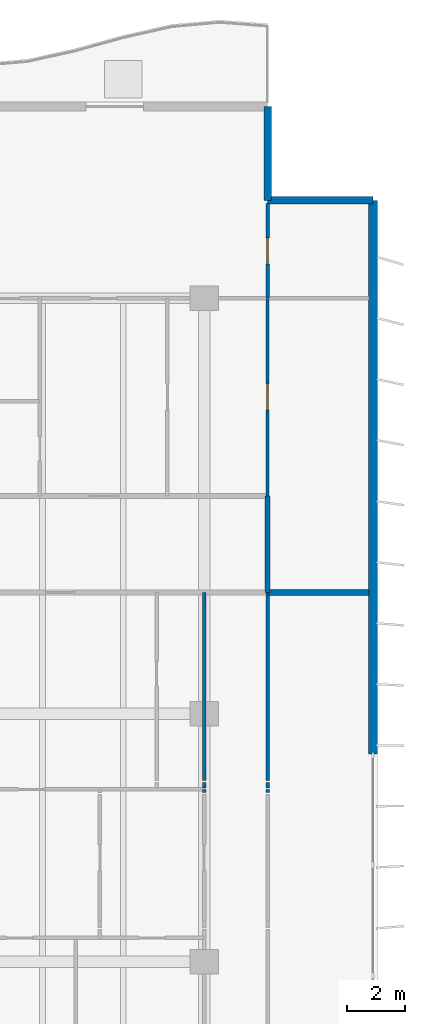
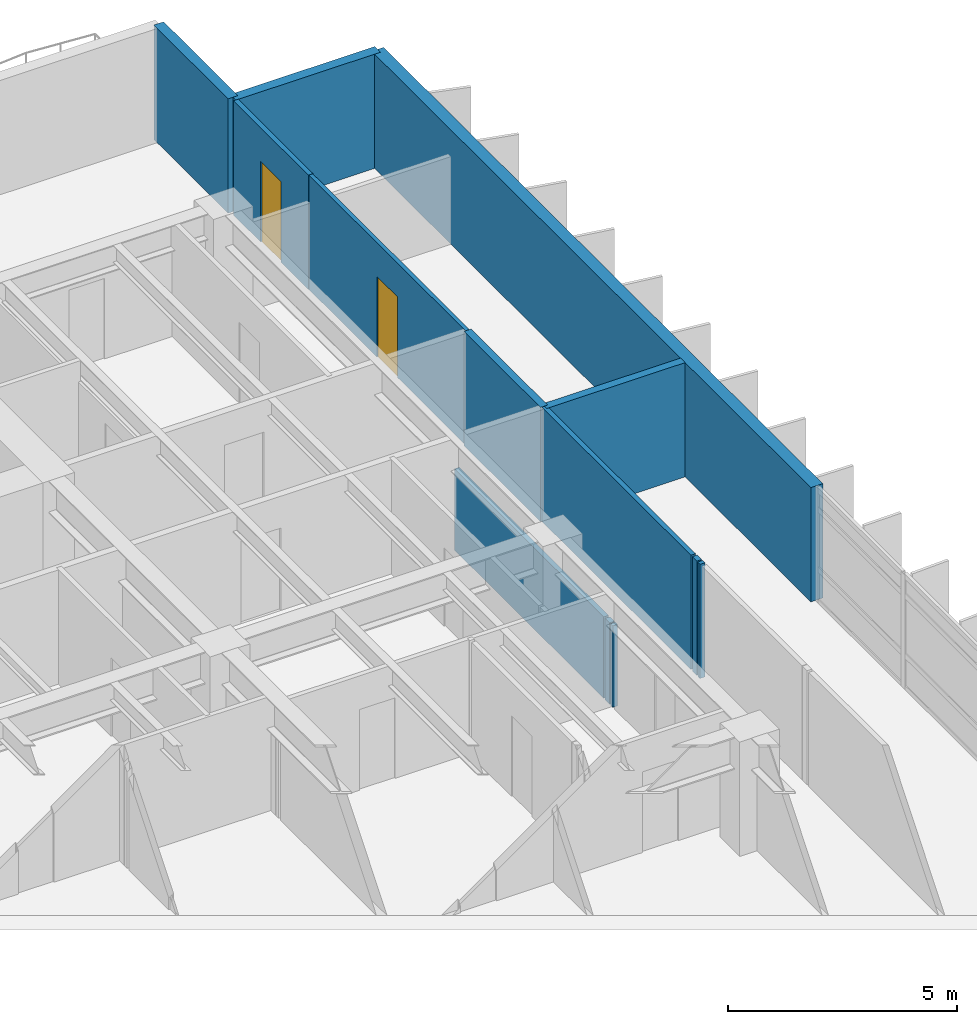
# One storey, part 15 of 20: 13 walls, 2 doors, 2 openings.
"""IFC4 building model written with IfcOpenShell, lengths in metres."""

import ifcopenshell
import ifcopenshell.guid

model = None  # the IFC model being written
_history = None  # IfcOwnerHistory: only IFC2X3 demands one
_inside = {}  # id of a spatial element -> (the spatial element, [elements in it])
_under = {}  # id of a project, library or spatial element -> (it, [spatial elements below it])
_declared = {}  # id of a project -> (the project, [libraries it declares])
_typed = {}  # id of a type object -> (the type object, [elements of that type])
_made_of = {}  # id of a material, layer set ... -> (it, [elements and type objects made of it])


def new_model(schema):
    """Start an empty IFC model of exactly this schema.

    Asked for "IFC4X3", IfcOpenShell would pick the latest addendum, in which some entities
    have other attributes; the version numbers below select the first issue.
    IFC2X3 requires an IfcOwnerHistory on every rooted entity: one is made here for all.
    """
    global model, _history
    if schema == "IFC4X3":
        model = ifcopenshell.file(schema_version=(4, 3, 0, 0))
    else:
        model = ifcopenshell.file(schema=schema)
    _inside.clear()
    _under.clear()
    _declared.clear()
    _typed.clear()
    _made_of.clear()
    _history = None
    if model.schema == "IFC2X3":
        org = make("IfcOrganization", Name="unknown")
        user = make(
            "IfcPersonAndOrganization",
            ThePerson=make("IfcPerson", FamilyName="unknown"),
            TheOrganization=org,
        )
        app = make(
            "IfcApplication",
            ApplicationDeveloper=org,
            Version="unknown",
            ApplicationFullName="unknown",
            ApplicationIdentifier="unknown",
        )
        _history = make(
            "IfcOwnerHistory",
            OwningUser=user,
            OwningApplication=app,
            ChangeAction="ADDED",
            CreationDate=0,
        )
    return model


def make(cls, **values):
    """One entity of the class cls with the attributes given. An attribute that is None is left unset."""
    return model.create_entity(
        cls, **{name: value for name, value in values.items() if value is not None}
    )


def rooted(cls, **values):
    """An entity with a GlobalId (a new one), such as an element, a storey or a relation."""
    return make(cls, GlobalId=ifcopenshell.guid.new(), OwnerHistory=_history, **values)


def si_unit(unit_type, name, prefix=None):
    """IfcSIUnit, for example si_unit("LENGTHUNIT", "METRE", prefix="MILLI")."""
    return make("IfcSIUnit", UnitType=unit_type, Prefix=prefix, Name=name)


def assignment(units):
    """IfcUnitAssignment: the units of a project."""
    return None if units is None else make("IfcUnitAssignment", Units=units)


def point(xyz):
    """IfcCartesianPoint."""
    return None if xyz is None else make("IfcCartesianPoint", Coordinates=xyz)


def direction(xyz):
    """IfcDirection."""
    return None if xyz is None else make("IfcDirection", DirectionRatios=xyz)


def frame(location, z_axis=None, x_axis=None):
    """IfcAxis2Placement3D, a coordinate frame: its origin and axes. An axis left out is left unset."""
    return make(
        "IfcAxis2Placement3D",
        Location=point(location),
        Axis=direction(z_axis),
        RefDirection=direction(x_axis),
    )


def frame_2d(location, x_axis=None):
    """IfcAxis2Placement2D, a coordinate frame in the plane: its origin and x axis."""
    return make(
        "IfcAxis2Placement2D", Location=point(location), RefDirection=direction(x_axis)
    )


def origin():
    """The frame at (0, 0, 0) with its axes left unset."""
    return frame((0.0, 0.0, 0.0))


def place(relative_to, where):
    """IfcLocalPlacement: puts the frame where relative to a parent placement (None: the world)."""
    return make(
        "IfcLocalPlacement", PlacementRelTo=relative_to, RelativePlacement=where
    )


def context(
    kind, dimensions, precision=None, world=None, true_north=None, identifier=None
):
    """IfcGeometricRepresentationContext, for example the 3D "Model" context."""
    return make(
        "IfcGeometricRepresentationContext",
        ContextIdentifier=identifier,
        ContextType=kind,
        CoordinateSpaceDimension=dimensions,
        Precision=precision,
        WorldCoordinateSystem=world,
        TrueNorth=true_north,
    )


def subcontext(parent, identifier, kind, view, scale=None):
    """IfcGeometricRepresentationSubContext, for example "Body" below "Model"."""
    return make(
        "IfcGeometricRepresentationSubContext",
        ContextIdentifier=identifier,
        ContextType=kind,
        ParentContext=parent,
        TargetScale=scale,
        TargetView=view,
    )


def project(units=None, contexts=None):
    """IfcProject with its units and contexts."""
    return rooted(
        "IfcProject",
        Name="project",
        RepresentationContexts=contexts,
        UnitsInContext=assignment(units),
    )


def spatial(cls, under=None, at=None, **own):
    """A site, building, storey or space (cls), placed at a placement, below another one or the project."""
    s = rooted(cls, ObjectPlacement=at, **own)
    if under is not None:
        _under.setdefault(under.id(), (under, []))[1].append(s)
    return s


def profile(cls, at=None, kind="AREA", **sizes):
    """A parametric profile (cls). Its sizes go by their IFC names, for example OverallWidth=200.0."""
    return make(cls, ProfileType=kind, Position=at, **sizes)


def rectangle(**sizes):
    """IfcRectangleProfileDef."""
    return profile("IfcRectangleProfileDef", **sizes)


def extrude(swept, where, along, depth):
    """IfcExtrudedAreaSolid: the profile swept, set in the frame where, extruded along a direction by depth."""
    return make(
        "IfcExtrudedAreaSolid",
        SweptArea=swept,
        Position=where,
        ExtrudedDirection=direction(along),
        Depth=depth,
    )


def shape(context_of_items, identifier, shape_type, items):
    """IfcShapeRepresentation: the items that make up one representation, for example the "Body"."""
    return make(
        "IfcShapeRepresentation",
        ContextOfItems=context_of_items,
        RepresentationIdentifier=identifier,
        RepresentationType=shape_type,
        Items=items,
    )


def material(Name=None, Category=None):
    """IfcMaterial."""
    return make("IfcMaterial", Name=Name, Category=Category)


def layer(
    of_material, thickness, ventilated=None, Name=None, Category=None, Priority=None
):
    """IfcMaterialLayer: one layer of a wall or slab, of a material (None: an air gap)."""
    return make(
        "IfcMaterialLayer",
        Material=of_material,
        LayerThickness=thickness,
        IsVentilated=ventilated,
        Name=Name,
        Category=Category,
        Priority=Priority,
    )


def layer_set(layers, Name=None):
    """IfcMaterialLayerSet."""
    return make("IfcMaterialLayerSet", MaterialLayers=layers, LayerSetName=Name)


def made_of(thing, what):
    """Note that an element or type object is made of a material, layer set ...; save() writes the relation."""
    if what is not None:
        _made_of.setdefault(what.id(), (what, []))[1].append(thing)
    return thing


def type_object(cls, material=None, **own):
    """A type object (cls), such as IfcWallType, which elements share."""
    return made_of(rooted(cls, **own), material)


def element(
    cls,
    number,
    at=None,
    inside=None,
    cuts=None,
    type_object=None,
    material=None,
    context=None,
    identifier="Body",
    shape_type=None,
    held_by="IfcProductDefinitionShape",
    body=None,
    shapes=None,
    **own,
):
    """One element of the class cls, such as IfcWall. Its Tag is "e" and its number.

    at: its placement. inside: the storey or other place that contains it. cuts: it is an
    opening in that element (IfcRelVoidsElement). A single representation is given by context,
    identifier, shape_type and body (its items); several are given by shapes. held_by: the class
    of the entity that holds the representations. save() writes the other relations.
    """
    e = rooted(cls, Tag="e%d" % number, ObjectPlacement=at, **own)
    if body is not None:
        shapes = [shape(context, identifier, shape_type, body)]
    if shapes is not None:
        e.Representation = make(held_by, Representations=shapes)
    if inside is not None:
        _inside.setdefault(inside.id(), (inside, []))[1].append(e)
    if cuts is not None:
        rooted(
            "IfcRelVoidsElement", RelatingBuildingElement=cuts, RelatedOpeningElement=e
        )
    if type_object is not None:
        _typed.setdefault(type_object.id(), (type_object, []))[1].append(e)
    return made_of(e, material)


def fill(opening, filler):
    """IfcRelFillsElement: the door or window that sits in an opening."""
    return rooted(
        "IfcRelFillsElement",
        RelatingOpeningElement=opening,
        RelatedBuildingElement=filler,
    )


def aggregate(whole, parts):
    """IfcRelAggregates: a whole, such as a stair, and the parts it consists of."""
    return rooted("IfcRelAggregates", RelatingObject=whole, RelatedObjects=parts)


def save(model, path):
    """Write the relations noted so far, then the file.

    IfcRelAggregates (storeys below a building ...), IfcRelContainedInSpatialStructure (elements
    in a storey), IfcRelDefinesByType, IfcRelAssociatesMaterial and IfcRelDeclares: one each for
    every whole, place, type object, material and project.
    """
    for whole, parts in _under.values():
        aggregate(whole, parts)
    for where, things in _inside.values():
        rooted(
            "IfcRelContainedInSpatialStructure",
            RelatedElements=things,
            RelatingStructure=where,
        )
    for kind, things in _typed.values():
        rooted("IfcRelDefinesByType", RelatedObjects=things, RelatingType=kind)
    for what, things in _made_of.values():
        rooted("IfcRelAssociatesMaterial", RelatedObjects=things, RelatingMaterial=what)
    for by, libraries in _declared.values():
        rooted("IfcRelDeclares", RelatingContext=by, RelatedDefinitions=libraries)
    model.write(path)


model = new_model("IFC4")

# Units and contexts
model_context = context("Model", 3, precision=1e-05, world=origin(), true_north=direction((0.0, 1.0)))
body_context = subcontext(model_context, "Body", "Model", "MODEL_VIEW")
ifc_project = project(units=[si_unit("LENGTHUNIT", "METRE"), si_unit("AREAUNIT", "SQUARE_METRE"), si_unit("VOLUMEUNIT", "CUBIC_METRE"), si_unit("PLANEANGLEUNIT", "RADIAN"), si_unit("MASSUNIT", "GRAM", prefix="KILO")], contexts=[model_context])

# Site, building, storey
site_placement = place(None, origin())
site = spatial("IfcSite", under=ifc_project, at=site_placement, CompositionType="ELEMENT")
building_placement = place(site_placement, origin())
building = spatial("IfcBuilding", under=site, at=building_placement, Name="Caelmar Bay Residences", CompositionType="ELEMENT")
storey_placement = place(building_placement, frame((0.0, 0.0, 119.10009765625)))
storey = spatial("IfcBuildingStorey", under=building, at=storey_placement, Name="L32", CompositionType="ELEMENT", Elevation=119.10009765625)

# Walls
ifc_material_1 = material(Name="Double-stud acoustic fire-rated gypsum partition 180 mm")
ifc_layer_1 = layer(ifc_material_1, 0.179931640625)
ifc_layer_set_1 = layer_set([ifc_layer_1], Name="Double-stud acoustic fire-rated gypsum partition 180 mm")
wall_type_1 = type_object("IfcWallType", Name="W-COR-200", PredefinedType="PARTITIONING", material=ifc_layer_set_1)
wall_1_placement = place(storey_placement, frame((70.10009765625, 33.60498046875, 0.0), z_axis=(0.0, 0.0, 1.0), x_axis=(0.0, 1.0, 0.0)))
element("IfcWall", 1, at=wall_1_placement, inside=storey, type_object=wall_type_1, Name="L32 Partition Wall V121", PredefinedType="PARTITIONING", context=body_context, shape_type="SweptSolid", body=[
    extrude(rectangle(XDim=3.344970703125, YDim=0.179931640625, at=frame_2d((1.67236328125, 0.0))), origin(), (0.0, 0.0, 1.0), 3.0498046875),
])
ifc_material_2 = material(Name="Precast concrete f'c 40 MPa (6,000 psi)", Category="concrete")
ifc_layer_2 = layer(ifc_material_2, 0.25)
ifc_layer_set_2 = layer_set([ifc_layer_2], Name="Precast concrete f'c 40 MPa (6,000 psi)")
wall_type_2 = type_object("IfcWallType", Name="W-EXT-250", PredefinedType="ELEMENTEDWALL", material=ifc_layer_set_2)
wall_2_placement = place(storey_placement, frame((70.10009765625, 50.449951171875, 0.0), z_axis=(0.0, 0.0, 1.0), x_axis=(0.0, -1.0, 0.0)))
element("IfcWall", 2, at=wall_2_placement, inside=storey, type_object=wall_type_2, Name="L32 NNE-V Notch Wall", PredefinedType="ELEMENTEDWALL", context=body_context, shape_type="SweptSolid", body=[
    extrude(rectangle(XDim=3.25, YDim=0.25, at=frame_2d((1.625, 0.0))), origin(), (0.0, 0.0, 1.0), 3.0498046875),
])
wall_3_placement = place(storey_placement, frame((70.10009765625, 47.199951171875, 0.0), z_axis=(0.0, 0.0, 1.0), x_axis=(1.0, 0.0, 0.0)))
element("IfcWall", 3, at=wall_3_placement, inside=storey, type_object=wall_type_2, Name="L32 NNE-H Notch Wall", PredefinedType="ELEMENTEDWALL", context=body_context, shape_type="SweptSolid", body=[
    extrude(rectangle(XDim=3.64990234375, YDim=0.25, at=frame_2d((1.824951171875, 0.0))), origin(), (0.0, 0.0, 1.0), 3.0498046875),
])
ifc_layer_3 = layer(ifc_material_2, 0.300048828125)
ifc_layer_set_3 = layer_set([ifc_layer_3], Name="Precast concrete f'c 40 MPa (6,000 psi)")
wall_type_3 = type_object("IfcWallType", Name="W-EXT-300", PredefinedType="STANDARD", material=ifc_layer_set_3)
wall_4_placement = place(storey_placement, frame((73.75, 47.199951171875, 0.0), z_axis=(0.0, 0.0, 1.0), x_axis=(0.0, -1.0, 0.0)))
element("IfcWall", 4, at=wall_4_placement, inside=storey, type_object=wall_type_3, Name="L32 East Rear Exterior Wall", PredefinedType="STANDARD", context=body_context, shape_type="SweptSolid", body=[
    extrude(rectangle(XDim=19.199951171875, YDim=0.300048828125, at=frame_2d((9.60009765625, 0.0))), origin(), (0.0, 0.0, 1.0), 3.0498046875),
])

# Wall, opening, door
ifc_material_3 = material(Name="Anodised bronze framed acoustic sliding study partition 100 mm")
ifc_layer_4 = layer(ifc_material_3, 0.10009765625)
ifc_layer_set_4 = layer_set([ifc_layer_4], Name="Anodised bronze framed acoustic sliding study partition 100 mm")
wall_type_4 = type_object("IfcWallType", Name="W-MOV-100", PredefinedType="MOVABLE", material=ifc_layer_set_4)
wall_5_placement = place(storey_placement, frame((70.10009765625, 36.955078125, 0.0), z_axis=(0.0, 0.0, 1.0), x_axis=(0.0, 1.0, 0.0)))
wall_5 = element("IfcWall", 5, at=wall_5_placement, inside=storey, type_object=wall_type_4, Name="L32 Partition Wall V122", PredefinedType="MOVABLE", context=body_context, shape_type="SweptSolid", body=[
    extrude(rectangle(XDim=6.844970703125, YDim=0.10009765625, at=frame_2d((3.42236328125, 0.0))), origin(), (0.0, 0.0, 1.0), 3.0498046875),
])
opening_1_placement = place(wall_5_placement, frame((2.972412109375, 0.0, 0.0)))
opening_1 = element("IfcOpeningElement", 6, at=opening_1_placement, cuts=wall_5, Name="Opening D-L32-179", PredefinedType="OPENING", context=body_context, shape_type="SweptSolid", body=[
    extrude(rectangle(XDim=0.89990234375, YDim=2.14990234375, at=frame_2d((0.449951171875, 1.074951171875))), frame((0.0, 0.06005859375, 0.0), z_axis=(0.0, -1.0, 0.0), x_axis=(1.0, 0.0, 0.0)), (0.0, 0.0, 1.0), 0.1201171875),
])
ifc_material_4 = material(Name="Solid walnut timber interior door leaf and frame", Category="wood")
ifc_layer_5 = layer(ifc_material_4, 0.050048828125)
ifc_layer_set_5 = layer_set([ifc_layer_5], Name="Solid walnut timber interior door leaf and frame")
door_type = type_object("IfcDoorType", Name="D-ROOM-900", OperationType="NOTDEFINED", PredefinedType="DOOR", material=ifc_layer_set_5)
door_1_placement = place(opening_1_placement, origin())
door_1 = element("IfcDoor", 7, at=door_1_placement, inside=storey, type_object=door_type, Name="L32 Residence EA Sun Study Door", OperationType="SINGLE_SWING_LEFT", OverallHeight=2.14990234375, OverallWidth=0.89990234375, PredefinedType="DOOR", context=body_context, shape_type="SweptSolid", body=[
    extrude(rectangle(XDim=0.89990234375, YDim=2.14990234375, at=frame_2d((0.449951171875, 1.074951171875))), frame((0.0, 0.02490234375, 0.0), z_axis=(0.0, -1.0, 0.0), x_axis=(1.0, 0.0, 0.0)), (0.0, 0.0, 1.0), 0.050048828125),
])
fill(opening_1, door_1)

# Walls
ifc_material_5 = material(Name="Acoustic metal-stud gypsum partition 120 mm")
ifc_layer_6 = layer(ifc_material_5, 0.1201171875)
ifc_layer_set_6 = layer_set([ifc_layer_6], Name="Acoustic metal-stud gypsum partition 120 mm")
wall_type_5 = type_object("IfcWallType", Name="W-PRT-120", PredefinedType="PARTITIONING", material=ifc_layer_set_6)
wall_6_placement = place(storey_placement, frame((67.89990234375, 26.679931640625, 0.0), z_axis=(0.0, 0.0, 1.0), x_axis=(0.0, 1.0, 0.0)))
element("IfcWall", 8, at=wall_6_placement, inside=storey, type_object=wall_type_5, Name="L32 Partition Wall V112", PredefinedType="PARTITIONING", context=body_context, shape_type="SweptSolid", body=[
    extrude(rectangle(XDim=0.10009765625, YDim=0.1201171875, at=frame_2d((0.050048828125, 0.0))), origin(), (0.0, 0.0, 1.0), 2.173828125),
])
wall_7_placement = place(storey_placement, frame((67.89990234375, 26.820068359375, 0.0), z_axis=(0.0, 0.0, 1.0), x_axis=(0.0, 1.0, 0.0)))
element("IfcWall", 9, at=wall_7_placement, inside=storey, type_object=wall_type_5, Name="L32 Partition Wall V113", PredefinedType="PARTITIONING", context=body_context, shape_type="SweptSolid", body=[
    extrude(rectangle(XDim=0.199951171875, YDim=0.1201171875, at=frame_2d((0.10009765625, 0.0))), origin(), (0.0, 0.0, 1.0), 2.173828125),
])
wall_8_placement = place(storey_placement, frame((67.89990234375, 27.080078125, 0.0), z_axis=(0.0, 0.0, 1.0), x_axis=(0.0, 1.0, 0.0)))
element("IfcWall", 10, at=wall_8_placement, inside=storey, type_object=wall_type_5, Name="L32 Partition Wall V114", PredefinedType="PARTITIONING", context=body_context, shape_type="SweptSolid", body=[
    extrude(rectangle(XDim=6.52001953125, YDim=0.1201171875, at=frame_2d((3.260009765625, 0.0))), origin(), (0.0, 0.0, 1.0), 2.173828125),
])
wall_9_placement = place(storey_placement, frame((70.10009765625, 26.679931640625, 0.0), z_axis=(0.0, 0.0, 1.0), x_axis=(0.0, 1.0, 0.0)))
element("IfcWall", 11, at=wall_9_placement, inside=storey, type_object=wall_type_5, Name="L32 Partition Wall V118", PredefinedType="PARTITIONING", context=body_context, shape_type="SweptSolid", body=[
    extrude(rectangle(XDim=0.10009765625, YDim=0.1201171875, at=frame_2d((0.050048828125, 0.0))), origin(), (0.0, 0.0, 1.0), 3.0498046875),
])
wall_10_placement = place(storey_placement, frame((70.10009765625, 26.820068359375, 0.0), z_axis=(0.0, 0.0, 1.0), x_axis=(0.0, 1.0, 0.0)))
element("IfcWall", 12, at=wall_10_placement, inside=storey, type_object=wall_type_5, Name="L32 Partition Wall V119", PredefinedType="PARTITIONING", context=body_context, shape_type="SweptSolid", body=[
    extrude(rectangle(XDim=0.199951171875, YDim=0.1201171875, at=frame_2d((0.10009765625, 0.0))), origin(), (0.0, 0.0, 1.0), 3.0498046875),
])
wall_11_placement = place(storey_placement, frame((70.10009765625, 27.080078125, 0.0), z_axis=(0.0, 0.0, 1.0), x_axis=(0.0, 1.0, 0.0)))
element("IfcWall", 13, at=wall_11_placement, inside=storey, type_object=wall_type_5, Name="L32 Partition Wall V120", PredefinedType="PARTITIONING", context=body_context, shape_type="SweptSolid", body=[
    extrude(rectangle(XDim=6.52001953125, YDim=0.1201171875, at=frame_2d((3.260009765625, 0.0))), origin(), (0.0, 0.0, 1.0), 3.0498046875),
])

# Wall, opening, door
wall_12_placement = place(storey_placement, frame((70.10009765625, 43.804931640625, 0.0), z_axis=(0.0, 0.0, 1.0), x_axis=(0.0, 1.0, 0.0)))
wall_12 = element("IfcWall", 14, at=wall_12_placement, inside=storey, type_object=wall_type_5, Name="L32 Partition Wall V123", PredefinedType="PARTITIONING", context=body_context, shape_type="SweptSolid", body=[
    extrude(rectangle(XDim=3.275146484375, YDim=0.1201171875, at=frame_2d((1.6376953125, 0.0))), origin(), (0.0, 0.0, 1.0), 3.0498046875),
])
opening_2_placement = place(wall_12_placement, frame((1.1875, 0.0, 0.0)))
opening_2 = element("IfcOpeningElement", 15, at=opening_2_placement, cuts=wall_12, Name="Opening D-L32-180", PredefinedType="OPENING", context=body_context, shape_type="SweptSolid", body=[
    extrude(rectangle(XDim=0.89990234375, YDim=2.14990234375, at=frame_2d((0.449951171875, 1.074951171875))), frame((0.0, 0.070068359375, 0.0), z_axis=(0.0, -1.0, 0.0), x_axis=(1.0, 0.0, 0.0)), (0.0, 0.0, 1.0), 0.14013671875),
])
door_2_placement = place(opening_2_placement, origin())
door_2 = element("IfcDoor", 16, at=door_2_placement, inside=storey, type_object=door_type, Name="L32 Residence EA North Sitting Alcove Door", OperationType="SINGLE_SWING_RIGHT", OverallHeight=2.14990234375, OverallWidth=0.89990234375, PredefinedType="DOOR", context=body_context, shape_type="SweptSolid", body=[
    extrude(rectangle(XDim=0.89990234375, YDim=2.14990234375, at=frame_2d((0.449951171875, 1.074951171875))), frame((0.0, 0.02490234375, 0.0), z_axis=(0.0, -1.0, 0.0), x_axis=(1.0, 0.0, 0.0)), (0.0, 0.0, 1.0), 0.050048828125),
])
fill(opening_2, door_2)

# Wall
ifc_material_6 = material(Name="Acoustic twin-stud fire-rated inter-tenancy partition 200 mm")
ifc_layer_7 = layer(ifc_material_6, 0.199951171875)
ifc_layer_set_7 = layer_set([ifc_layer_7], Name="Acoustic twin-stud fire-rated inter-tenancy partition 200 mm")
wall_type_6 = type_object("IfcWallType", Name="W-PTY-200", PredefinedType="PARTITIONING", material=ifc_layer_set_7)
wall_13_placement = place(storey_placement, frame((70.10498046875, 33.60009765625, 0.0), z_axis=(0.0, 0.0, 1.0), x_axis=(1.0, 0.0, 0.0)))
element("IfcWall", 17, at=wall_13_placement, inside=storey, type_object=wall_type_6, Name="L32 Partition Wall H147", PredefinedType="PARTITIONING", context=body_context, shape_type="SweptSolid", body=[
    extrude(rectangle(XDim=3.5, YDim=0.199951171875, at=frame_2d((1.75, 0.0))), origin(), (0.0, 0.0, 1.0), 3.0498046875),
])

save(model, "model.ifc")
